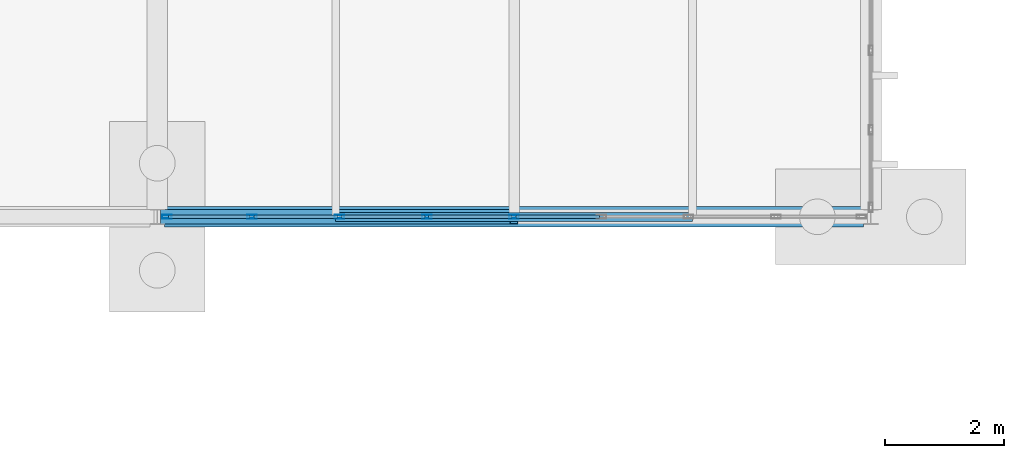
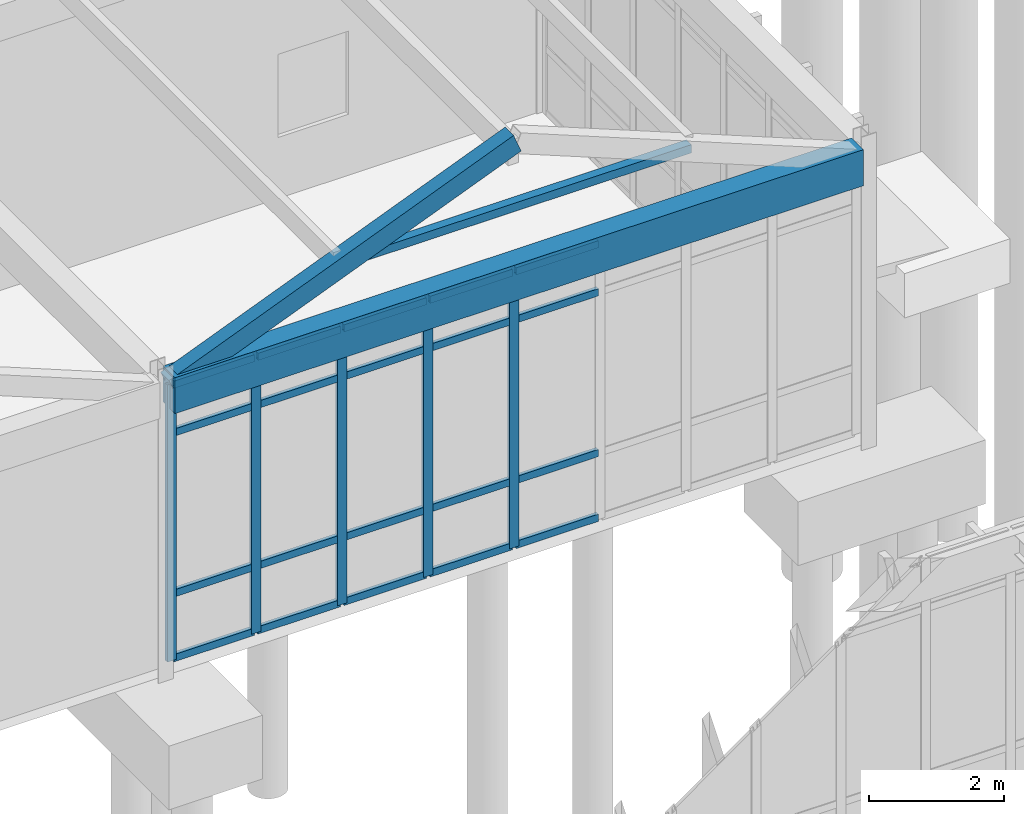
# One storey, part 39 of 188: 27 members, 1 beam, 1 element without a shape of its own.
"""IFC4 building model written with IfcOpenShell, lengths in metres."""

from ifc_helpers import new_model, si_unit, direction, frame, origin, origin_2d, place, context, subcontext, project, spatial, rectangle, hollow_rectangle, extrude, material, layer, layer_set, material_profile, profile_set, type_object, element, aggregate, save


model = new_model("IFC4")

# Units and contexts
model_context = context("Model", 3, precision=1e-05, world=origin(), true_north=direction((0.0, 1.0)))
body_context = subcontext(model_context, "Body", "Model", "MODEL_VIEW")
ifc_project = project(units=[si_unit("LENGTHUNIT", "METRE"), si_unit("AREAUNIT", "SQUARE_METRE"), si_unit("VOLUMEUNIT", "CUBIC_METRE"), si_unit("PLANEANGLEUNIT", "RADIAN"), si_unit("MASSUNIT", "GRAM", prefix="KILO")], contexts=[model_context])

# Site, building, storey
site_placement = place(None, origin())
site = spatial("IfcSite", under=ifc_project, at=site_placement, CompositionType="ELEMENT")
building_placement = place(site_placement, origin())
building = spatial("IfcBuilding", under=site, at=building_placement, Name="Pandanus Reach Market Hall", CompositionType="ELEMENT")
storey_placement = place(building_placement, origin())
storey = spatial("IfcBuildingStorey", under=building, at=storey_placement, Name="L00", CompositionType="ELEMENT", Elevation=0.0)

# Beam
ifc_material_1 = material(Name="Concrete N40 (40 MPa)", Category="concrete")
ifc_material_profile_1 = material_profile(ifc_material_1, rectangle(XDim=0.35009765625, YDim=0.64990234375, at=origin_2d()), Name="RC350x650", Category="LoadBearing")
ifc_profile_set_1 = profile_set([ifc_material_profile_1], Name="Concrete N40 (40 MPa)")
beam_type = type_object("IfcBeamType", Name="BM-RC350-E", PredefinedType="SPANDREL", material=ifc_profile_set_1)
beam_placement = place(storey_placement, frame((24.125, 38.39990234375, 4.8798828125), z_axis=(1.0, 0.0, 0.0), x_axis=(0.0, 1.0, 0.0)))
element("IfcBeam", 1, at=beam_placement, inside=storey, type_object=beam_type, Name="Framing beam BM-RC350-E L00.1160", PredefinedType="SPANDREL", context=body_context, shape_type="SweptSolid", body=[
    extrude(rectangle(XDim=0.35009765625, YDim=0.64990234375, at=origin_2d()), origin(), (0.0, 0.0, 1.0), 11.75),
])

# Member
ifc_material_2 = material(Name="Steel Grade 350 (350 MPa)", Category="steel")
ifc_material_profile_2 = material_profile(ifc_material_2, hollow_rectangle(XDim=0.14990234375, YDim=0.14990234375, WallThickness=0.009033203125, at=origin_2d()), Name="150x150x9.0SHS", Category="LoadBearing")
ifc_profile_set_2 = profile_set([ifc_material_profile_2], Name="Steel Grade 350 (350 MPa)")
member_type_1 = type_object("IfcMemberType", Name="CL-SHS150-I", PredefinedType="COLLAR", material=ifc_profile_set_2)
member_1_placement = place(storey_placement, frame((27.0, 38.39990234375, 6.166748046875), z_axis=(1.0, 0.0, 0.0), x_axis=(0.0, 1.0, 0.0)))
element("IfcMember", 2, at=member_1_placement, inside=storey, type_object=member_type_1, Name="Gable collar tie R1.B3", PredefinedType="COLLAR", context=body_context, shape_type="SweptSolid", body=[
    extrude(hollow_rectangle(XDim=0.14990234375, YDim=0.14990234375, WallThickness=0.009033203125, at=origin_2d()), origin(), (0.0, 0.0, 1.0), 6.0),
])

# Curtain wall, members
ifc_material_3 = material(Name="Bronze anodised aluminium and low-E glass", Category="aluminium")
ifc_layer = layer(ifc_material_3, 0.159912109375, Name="CW-07")
ifc_layer_set = layer_set([ifc_layer], Name="Bronze anodised aluminium and low-E glass")
curtain_wall_type = type_object("IfcCurtainWallType", Name="CW-07", PredefinedType="NOTDEFINED", material=ifc_layer_set)
curtain_wall_placement = place(storey_placement, origin())
curtain_wall = element("IfcCurtainWall", 3, at=curtain_wall_placement, inside=storey, type_object=curtain_wall_type, Name="Glazed curtain wall CW-07 CW-0039", PredefinedType="NOTDEFINED")
ifc_material_4 = material(Name="Bronze anodised aluminium", Category="aluminium")
ifc_material_profile_3 = material_profile(ifc_material_4, hollow_rectangle(XDim=0.06494140625, YDim=0.159912109375, WallThickness=0.00390625, at=origin_2d()), Name="ALU65x160", Category="LoadBearing")
ifc_profile_set_3 = profile_set([ifc_material_profile_3], Name="Bronze anodised aluminium")
member_type_2 = type_object("IfcMemberType", Name="CW-M1", PredefinedType="MULLION", material=ifc_profile_set_3)
member_2_placement = place(storey_placement, frame((24.159423828125, 38.39990234375, 0.0), z_axis=(0.0, 0.0, 1.0), x_axis=(0.0, 1.0, 0.0)))
member_2 = element("IfcMember", 4, at=member_2_placement, type_object=member_type_2, Name="CW-07 mullion 1", PredefinedType="MULLION", context=body_context, shape_type="SweptSolid", body=[
    extrude(hollow_rectangle(XDim=0.06494140625, YDim=0.159912109375, WallThickness=0.00390625, at=origin_2d()), origin(), (0.0, 0.0, 1.0), 5.0),
])
member_3_placement = place(storey_placement, frame((25.59521484375, 38.39990234375, 0.0), z_axis=(0.0, 0.0, 1.0), x_axis=(0.0, 1.0, 0.0)))
member_3 = element("IfcMember", 5, at=member_3_placement, type_object=member_type_2, Name="CW-07 mullion 2", PredefinedType="MULLION", context=body_context, shape_type="SweptSolid", body=[
    extrude(hollow_rectangle(XDim=0.06494140625, YDim=0.159912109375, WallThickness=0.00390625, at=origin_2d()), origin(), (0.0, 0.0, 1.0), 5.0),
])
member_4_placement = place(storey_placement, frame((27.0634765625, 38.39990234375, 0.0), z_axis=(0.0, 0.0, 1.0), x_axis=(0.0, 1.0, 0.0)))
member_4 = element("IfcMember", 6, at=member_4_placement, type_object=member_type_2, Name="CW-07 mullion 3", PredefinedType="MULLION", context=body_context, shape_type="SweptSolid", body=[
    extrude(hollow_rectangle(XDim=0.06494140625, YDim=0.159912109375, WallThickness=0.00390625, at=origin_2d()), origin(), (0.0, 0.0, 1.0), 5.0),
])
member_5_placement = place(storey_placement, frame((28.53173828125, 38.39990234375, 0.0), z_axis=(0.0, 0.0, 1.0), x_axis=(0.0, 1.0, 0.0)))
member_5 = element("IfcMember", 7, at=member_5_placement, type_object=member_type_2, Name="CW-07 mullion 4", PredefinedType="MULLION", context=body_context, shape_type="SweptSolid", body=[
    extrude(hollow_rectangle(XDim=0.06494140625, YDim=0.159912109375, WallThickness=0.00390625, at=origin_2d()), origin(), (0.0, 0.0, 1.0), 5.0),
])
member_6_placement = place(storey_placement, frame((30.0, 38.39990234375, 0.0), z_axis=(0.0, 0.0, 1.0), x_axis=(0.0, 1.0, 0.0)))
member_6 = element("IfcMember", 8, at=member_6_placement, type_object=member_type_2, Name="CW-07 mullion 5", PredefinedType="MULLION", context=body_context, shape_type="SweptSolid", body=[
    extrude(hollow_rectangle(XDim=0.06494140625, YDim=0.159912109375, WallThickness=0.00390625, at=origin_2d()), origin(), (0.0, 0.0, 1.0), 5.0),
])
ifc_material_profile_4 = material_profile(ifc_material_4, hollow_rectangle(XDim=0.06494140625, YDim=0.1298828125, WallThickness=0.00390625, at=origin_2d()), Name="ALU65x130", Category="LoadBearing")
ifc_profile_set_4 = profile_set([ifc_material_profile_4], Name="Bronze anodised aluminium")
member_type_3 = type_object("IfcMemberType", Name="CW-T1", PredefinedType="USERDEFINED", material=ifc_profile_set_4)
member_7_placement = place(storey_placement, frame((24.19189453125, 38.39990234375, 0.032470703125), z_axis=(1.0, 0.0, 0.0), x_axis=(0.0, 1.0, 0.0)))
member_7 = element("IfcMember", 9, at=member_7_placement, type_object=member_type_3, Name="CW-07 transom 1.1", ObjectType="TRANSOM", PredefinedType="USERDEFINED", context=body_context, shape_type="SweptSolid", body=[
    extrude(hollow_rectangle(XDim=0.06494140625, YDim=0.1298828125, WallThickness=0.00390625, at=origin_2d()), origin(), (0.0, 0.0, 1.0), 1.370849609375),
])
member_8_placement = place(storey_placement, frame((24.19189453125, 38.39990234375, 1.199951171875), z_axis=(1.0, 0.0, 0.0), x_axis=(0.0, 1.0, 0.0)))
member_8 = element("IfcMember", 10, at=member_8_placement, type_object=member_type_3, Name="CW-07 transom 1.2", ObjectType="TRANSOM", PredefinedType="USERDEFINED", context=body_context, shape_type="SweptSolid", body=[
    extrude(hollow_rectangle(XDim=0.06494140625, YDim=0.1298828125, WallThickness=0.00390625, at=origin_2d()), origin(), (0.0, 0.0, 1.0), 1.370849609375),
])
member_9_placement = place(storey_placement, frame((24.19189453125, 38.39990234375, 4.10009765625), z_axis=(1.0, 0.0, 0.0), x_axis=(0.0, 1.0, 0.0)))
member_9 = element("IfcMember", 11, at=member_9_placement, type_object=member_type_3, Name="CW-07 transom 1.3", ObjectType="TRANSOM", PredefinedType="USERDEFINED", context=body_context, shape_type="SweptSolid", body=[
    extrude(hollow_rectangle(XDim=0.06494140625, YDim=0.1298828125, WallThickness=0.00390625, at=origin_2d()), origin(), (0.0, 0.0, 1.0), 1.370849609375),
])
member_10_placement = place(storey_placement, frame((24.19189453125, 38.39990234375, 4.967529296875), z_axis=(1.0, 0.0, 0.0), x_axis=(0.0, 1.0, 0.0)))
member_10 = element("IfcMember", 12, at=member_10_placement, type_object=member_type_3, Name="CW-07 transom 1.4", ObjectType="TRANSOM", PredefinedType="USERDEFINED", context=body_context, shape_type="SweptSolid", body=[
    extrude(hollow_rectangle(XDim=0.06494140625, YDim=0.1298828125, WallThickness=0.00390625, at=origin_2d()), origin(), (0.0, 0.0, 1.0), 1.370849609375),
])
member_11_placement = place(storey_placement, frame((25.627685546875, 38.39990234375, 0.032470703125), z_axis=(1.0, 0.0, 0.0), x_axis=(0.0, 1.0, 0.0)))
member_11 = element("IfcMember", 13, at=member_11_placement, type_object=member_type_3, Name="CW-07 transom 2.1", ObjectType="TRANSOM", PredefinedType="USERDEFINED", context=body_context, shape_type="SweptSolid", body=[
    extrude(hollow_rectangle(XDim=0.06494140625, YDim=0.1298828125, WallThickness=0.00390625, at=origin_2d()), origin(), (0.0, 0.0, 1.0), 1.4033203125),
])
member_12_placement = place(storey_placement, frame((25.627685546875, 38.39990234375, 1.199951171875), z_axis=(1.0, 0.0, 0.0), x_axis=(0.0, 1.0, 0.0)))
member_12 = element("IfcMember", 14, at=member_12_placement, type_object=member_type_3, Name="CW-07 transom 2.2", ObjectType="TRANSOM", PredefinedType="USERDEFINED", context=body_context, shape_type="SweptSolid", body=[
    extrude(hollow_rectangle(XDim=0.06494140625, YDim=0.1298828125, WallThickness=0.00390625, at=origin_2d()), origin(), (0.0, 0.0, 1.0), 1.4033203125),
])
member_13_placement = place(storey_placement, frame((25.627685546875, 38.39990234375, 4.10009765625), z_axis=(1.0, 0.0, 0.0), x_axis=(0.0, 1.0, 0.0)))
member_13 = element("IfcMember", 15, at=member_13_placement, type_object=member_type_3, Name="CW-07 transom 2.3", ObjectType="TRANSOM", PredefinedType="USERDEFINED", context=body_context, shape_type="SweptSolid", body=[
    extrude(hollow_rectangle(XDim=0.06494140625, YDim=0.1298828125, WallThickness=0.00390625, at=origin_2d()), origin(), (0.0, 0.0, 1.0), 1.4033203125),
])
member_14_placement = place(storey_placement, frame((25.627685546875, 38.39990234375, 4.967529296875), z_axis=(1.0, 0.0, 0.0), x_axis=(0.0, 1.0, 0.0)))
member_14 = element("IfcMember", 16, at=member_14_placement, type_object=member_type_3, Name="CW-07 transom 2.4", ObjectType="TRANSOM", PredefinedType="USERDEFINED", context=body_context, shape_type="SweptSolid", body=[
    extrude(hollow_rectangle(XDim=0.06494140625, YDim=0.1298828125, WallThickness=0.00390625, at=origin_2d()), origin(), (0.0, 0.0, 1.0), 1.4033203125),
])
member_15_placement = place(storey_placement, frame((27.095947265625, 38.39990234375, 0.032470703125), z_axis=(1.0, 0.0, 0.0), x_axis=(0.0, 1.0, 0.0)))
member_15 = element("IfcMember", 17, at=member_15_placement, type_object=member_type_3, Name="CW-07 transom 3.1", ObjectType="TRANSOM", PredefinedType="USERDEFINED", context=body_context, shape_type="SweptSolid", body=[
    extrude(hollow_rectangle(XDim=0.06494140625, YDim=0.1298828125, WallThickness=0.00390625, at=origin_2d()), origin(), (0.0, 0.0, 1.0), 1.4033203125),
])
member_16_placement = place(storey_placement, frame((27.095947265625, 38.39990234375, 1.199951171875), z_axis=(1.0, 0.0, 0.0), x_axis=(0.0, 1.0, 0.0)))
member_16 = element("IfcMember", 18, at=member_16_placement, type_object=member_type_3, Name="CW-07 transom 3.2", ObjectType="TRANSOM", PredefinedType="USERDEFINED", context=body_context, shape_type="SweptSolid", body=[
    extrude(hollow_rectangle(XDim=0.06494140625, YDim=0.1298828125, WallThickness=0.00390625, at=origin_2d()), origin(), (0.0, 0.0, 1.0), 1.4033203125),
])
member_17_placement = place(storey_placement, frame((27.095947265625, 38.39990234375, 4.10009765625), z_axis=(1.0, 0.0, 0.0), x_axis=(0.0, 1.0, 0.0)))
member_17 = element("IfcMember", 19, at=member_17_placement, type_object=member_type_3, Name="CW-07 transom 3.3", ObjectType="TRANSOM", PredefinedType="USERDEFINED", context=body_context, shape_type="SweptSolid", body=[
    extrude(hollow_rectangle(XDim=0.06494140625, YDim=0.1298828125, WallThickness=0.00390625, at=origin_2d()), origin(), (0.0, 0.0, 1.0), 1.4033203125),
])
member_18_placement = place(storey_placement, frame((27.095947265625, 38.39990234375, 4.967529296875), z_axis=(1.0, 0.0, 0.0), x_axis=(0.0, 1.0, 0.0)))
member_18 = element("IfcMember", 20, at=member_18_placement, type_object=member_type_3, Name="CW-07 transom 3.4", ObjectType="TRANSOM", PredefinedType="USERDEFINED", context=body_context, shape_type="SweptSolid", body=[
    extrude(hollow_rectangle(XDim=0.06494140625, YDim=0.1298828125, WallThickness=0.00390625, at=origin_2d()), origin(), (0.0, 0.0, 1.0), 1.4033203125),
])
member_19_placement = place(storey_placement, frame((28.564208984375, 38.39990234375, 0.032470703125), z_axis=(1.0, 0.0, 0.0), x_axis=(0.0, 1.0, 0.0)))
member_19 = element("IfcMember", 21, at=member_19_placement, type_object=member_type_3, Name="CW-07 transom 4.1", ObjectType="TRANSOM", PredefinedType="USERDEFINED", context=body_context, shape_type="SweptSolid", body=[
    extrude(hollow_rectangle(XDim=0.06494140625, YDim=0.1298828125, WallThickness=0.00390625, at=origin_2d()), origin(), (0.0, 0.0, 1.0), 1.4033203125),
])
member_20_placement = place(storey_placement, frame((28.564208984375, 38.39990234375, 1.199951171875), z_axis=(1.0, 0.0, 0.0), x_axis=(0.0, 1.0, 0.0)))
member_20 = element("IfcMember", 22, at=member_20_placement, type_object=member_type_3, Name="CW-07 transom 4.2", ObjectType="TRANSOM", PredefinedType="USERDEFINED", context=body_context, shape_type="SweptSolid", body=[
    extrude(hollow_rectangle(XDim=0.06494140625, YDim=0.1298828125, WallThickness=0.00390625, at=origin_2d()), origin(), (0.0, 0.0, 1.0), 1.4033203125),
])
member_21_placement = place(storey_placement, frame((28.564208984375, 38.39990234375, 4.10009765625), z_axis=(1.0, 0.0, 0.0), x_axis=(0.0, 1.0, 0.0)))
member_21 = element("IfcMember", 23, at=member_21_placement, type_object=member_type_3, Name="CW-07 transom 4.3", ObjectType="TRANSOM", PredefinedType="USERDEFINED", context=body_context, shape_type="SweptSolid", body=[
    extrude(hollow_rectangle(XDim=0.06494140625, YDim=0.1298828125, WallThickness=0.00390625, at=origin_2d()), origin(), (0.0, 0.0, 1.0), 1.4033203125),
])
member_22_placement = place(storey_placement, frame((28.564208984375, 38.39990234375, 4.967529296875), z_axis=(1.0, 0.0, 0.0), x_axis=(0.0, 1.0, 0.0)))
member_22 = element("IfcMember", 24, at=member_22_placement, type_object=member_type_3, Name="CW-07 transom 4.4", ObjectType="TRANSOM", PredefinedType="USERDEFINED", context=body_context, shape_type="SweptSolid", body=[
    extrude(hollow_rectangle(XDim=0.06494140625, YDim=0.1298828125, WallThickness=0.00390625, at=origin_2d()), origin(), (0.0, 0.0, 1.0), 1.4033203125),
])
member_23_placement = place(storey_placement, frame((30.032470703125, 38.39990234375, 0.032470703125), z_axis=(1.0, 0.0, 0.0), x_axis=(0.0, 1.0, 0.0)))
member_23 = element("IfcMember", 25, at=member_23_placement, type_object=member_type_3, Name="CW-07 transom 5.1", ObjectType="TRANSOM", PredefinedType="USERDEFINED", context=body_context, shape_type="SweptSolid", body=[
    extrude(hollow_rectangle(XDim=0.06494140625, YDim=0.1298828125, WallThickness=0.00390625, at=origin_2d()), origin(), (0.0, 0.0, 1.0), 1.4033203125),
])
member_24_placement = place(storey_placement, frame((30.032470703125, 38.39990234375, 1.199951171875), z_axis=(1.0, 0.0, 0.0), x_axis=(0.0, 1.0, 0.0)))
member_24 = element("IfcMember", 26, at=member_24_placement, type_object=member_type_3, Name="CW-07 transom 5.2", ObjectType="TRANSOM", PredefinedType="USERDEFINED", context=body_context, shape_type="SweptSolid", body=[
    extrude(hollow_rectangle(XDim=0.06494140625, YDim=0.1298828125, WallThickness=0.00390625, at=origin_2d()), origin(), (0.0, 0.0, 1.0), 1.4033203125),
])
member_25_placement = place(storey_placement, frame((30.032470703125, 38.39990234375, 4.10009765625), z_axis=(1.0, 0.0, 0.0), x_axis=(0.0, 1.0, 0.0)))
member_25 = element("IfcMember", 27, at=member_25_placement, type_object=member_type_3, Name="CW-07 transom 5.3", ObjectType="TRANSOM", PredefinedType="USERDEFINED", context=body_context, shape_type="SweptSolid", body=[
    extrude(hollow_rectangle(XDim=0.06494140625, YDim=0.1298828125, WallThickness=0.00390625, at=origin_2d()), origin(), (0.0, 0.0, 1.0), 1.4033203125),
])
member_26_placement = place(storey_placement, frame((30.032470703125, 38.39990234375, 4.967529296875), z_axis=(1.0, 0.0, 0.0), x_axis=(0.0, 1.0, 0.0)))
member_26 = element("IfcMember", 28, at=member_26_placement, type_object=member_type_3, Name="CW-07 transom 5.4", ObjectType="TRANSOM", PredefinedType="USERDEFINED", context=body_context, shape_type="SweptSolid", body=[
    extrude(hollow_rectangle(XDim=0.06494140625, YDim=0.1298828125, WallThickness=0.00390625, at=origin_2d()), origin(), (0.0, 0.0, 1.0), 1.4033203125),
])
aggregate(curtain_wall, [member_2, member_3, member_4, member_5, member_6, member_7, member_8, member_9, member_10, member_11, member_12, member_13, member_14, member_15, member_16, member_17, member_18, member_19, member_20, member_21, member_22, member_23, member_24, member_25, member_26])

# Member
ifc_material_profile_5 = material_profile(ifc_material_2, hollow_rectangle(XDim=0.25, YDim=0.35009765625, WallThickness=0.012451171875, at=origin_2d()), Name="350x250x12.5RHS", Category="LoadBearing")
ifc_profile_set_5 = profile_set([ifc_material_profile_5], Name="Steel Grade 350 (350 MPa)")
member_type_4 = type_object("IfcMemberType", Name="RF-RHS350-E", PredefinedType="RAFTER", material=ifc_profile_set_5)
member_27_placement = place(storey_placement, frame((24.1201171875, 38.39990234375, 4.985107421875), z_axis=(0.927845665363, 0.0, 0.372964369971), x_axis=(0.0, 1.0, 0.0)))
element("IfcMember", 29, at=member_27_placement, inside=storey, type_object=member_type_4, Name="Steep gable rafter R1.B3W", PredefinedType="RAFTER", context=body_context, shape_type="SweptSolid", body=[
    extrude(hollow_rectangle(XDim=0.25, YDim=0.35009765625, WallThickness=0.012451171875, at=origin_2d()), origin(), (0.0, 0.0, 1.0), 6.337158203125),
])

save(model, "model.ifc")
